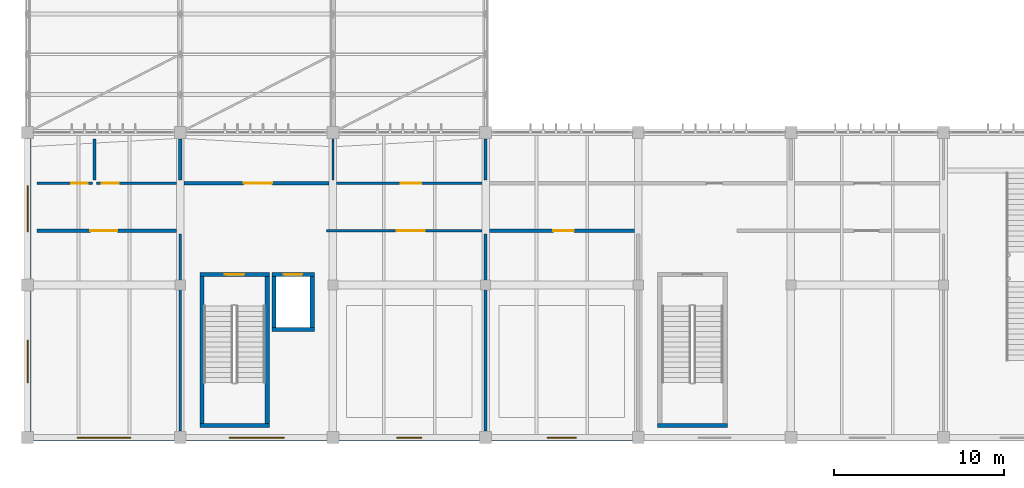
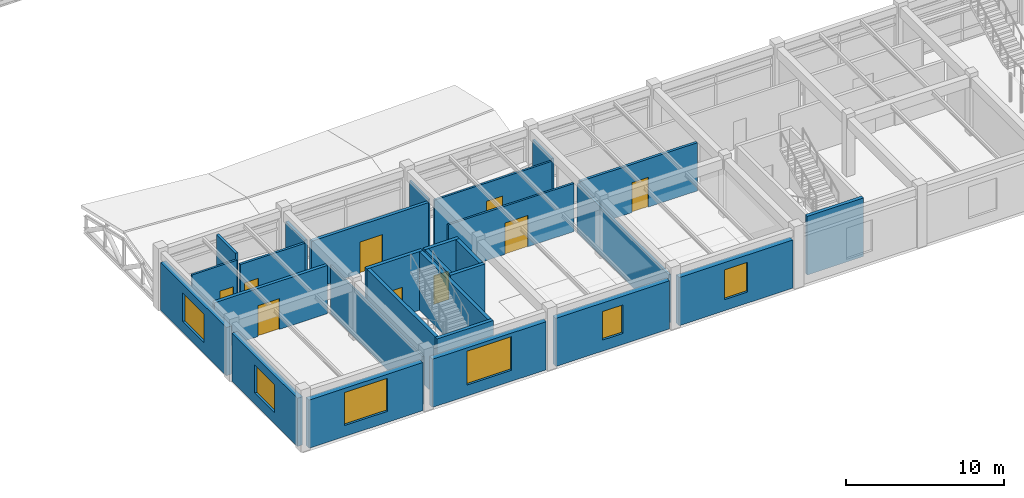
# One storey, part 45 of 61: 28 walls, 9 doors, 6 windows, 15 openings.
"""IFC4 building model written with IfcOpenShell, lengths in metres."""

import ifcopenshell
import ifcopenshell.guid

model = None  # the IFC model being written
_history = None  # IfcOwnerHistory: only IFC2X3 demands one
_inside = {}  # id of a spatial element -> (the spatial element, [elements in it])
_under = {}  # id of a project, library or spatial element -> (it, [spatial elements below it])
_declared = {}  # id of a project -> (the project, [libraries it declares])
_typed = {}  # id of a type object -> (the type object, [elements of that type])
_made_of = {}  # id of a material, layer set ... -> (it, [elements and type objects made of it])


def new_model(schema):
    """Start an empty IFC model of exactly this schema.

    Asked for "IFC4X3", IfcOpenShell would pick the latest addendum, in which some entities
    have other attributes; the version numbers below select the first issue.
    IFC2X3 requires an IfcOwnerHistory on every rooted entity: one is made here for all.
    """
    global model, _history
    if schema == "IFC4X3":
        model = ifcopenshell.file(schema_version=(4, 3, 0, 0))
    else:
        model = ifcopenshell.file(schema=schema)
    _inside.clear()
    _under.clear()
    _declared.clear()
    _typed.clear()
    _made_of.clear()
    _history = None
    if model.schema == "IFC2X3":
        org = make("IfcOrganization", Name="unknown")
        user = make(
            "IfcPersonAndOrganization",
            ThePerson=make("IfcPerson", FamilyName="unknown"),
            TheOrganization=org,
        )
        app = make(
            "IfcApplication",
            ApplicationDeveloper=org,
            Version="unknown",
            ApplicationFullName="unknown",
            ApplicationIdentifier="unknown",
        )
        _history = make(
            "IfcOwnerHistory",
            OwningUser=user,
            OwningApplication=app,
            ChangeAction="ADDED",
            CreationDate=0,
        )
    return model


def make(cls, **values):
    """One entity of the class cls with the attributes given. An attribute that is None is left unset."""
    return model.create_entity(
        cls, **{name: value for name, value in values.items() if value is not None}
    )


def rooted(cls, **values):
    """An entity with a GlobalId (a new one), such as an element, a storey or a relation."""
    return make(cls, GlobalId=ifcopenshell.guid.new(), OwnerHistory=_history, **values)


def si_unit(unit_type, name, prefix=None):
    """IfcSIUnit, for example si_unit("LENGTHUNIT", "METRE", prefix="MILLI")."""
    return make("IfcSIUnit", UnitType=unit_type, Prefix=prefix, Name=name)


def assignment(units):
    """IfcUnitAssignment: the units of a project."""
    return None if units is None else make("IfcUnitAssignment", Units=units)


def point(xyz):
    """IfcCartesianPoint."""
    return None if xyz is None else make("IfcCartesianPoint", Coordinates=xyz)


def direction(xyz):
    """IfcDirection."""
    return None if xyz is None else make("IfcDirection", DirectionRatios=xyz)


def frame(location, z_axis=None, x_axis=None):
    """IfcAxis2Placement3D, a coordinate frame: its origin and axes. An axis left out is left unset."""
    return make(
        "IfcAxis2Placement3D",
        Location=point(location),
        Axis=direction(z_axis),
        RefDirection=direction(x_axis),
    )


def frame_2d(location, x_axis=None):
    """IfcAxis2Placement2D, a coordinate frame in the plane: its origin and x axis."""
    return make(
        "IfcAxis2Placement2D", Location=point(location), RefDirection=direction(x_axis)
    )


def origin():
    """The frame at (0, 0, 0) with its axes left unset."""
    return frame((0.0, 0.0, 0.0))


def place(relative_to, where):
    """IfcLocalPlacement: puts the frame where relative to a parent placement (None: the world)."""
    return make(
        "IfcLocalPlacement", PlacementRelTo=relative_to, RelativePlacement=where
    )


def context(
    kind, dimensions, precision=None, world=None, true_north=None, identifier=None
):
    """IfcGeometricRepresentationContext, for example the 3D "Model" context."""
    return make(
        "IfcGeometricRepresentationContext",
        ContextIdentifier=identifier,
        ContextType=kind,
        CoordinateSpaceDimension=dimensions,
        Precision=precision,
        WorldCoordinateSystem=world,
        TrueNorth=true_north,
    )


def subcontext(parent, identifier, kind, view, scale=None):
    """IfcGeometricRepresentationSubContext, for example "Body" below "Model"."""
    return make(
        "IfcGeometricRepresentationSubContext",
        ContextIdentifier=identifier,
        ContextType=kind,
        ParentContext=parent,
        TargetScale=scale,
        TargetView=view,
    )


def project(units=None, contexts=None):
    """IfcProject with its units and contexts."""
    return rooted(
        "IfcProject",
        Name="project",
        RepresentationContexts=contexts,
        UnitsInContext=assignment(units),
    )


def spatial(cls, under=None, at=None, **own):
    """A site, building, storey or space (cls), placed at a placement, below another one or the project."""
    s = rooted(cls, ObjectPlacement=at, **own)
    if under is not None:
        _under.setdefault(under.id(), (under, []))[1].append(s)
    return s


def profile(cls, at=None, kind="AREA", **sizes):
    """A parametric profile (cls). Its sizes go by their IFC names, for example OverallWidth=200.0."""
    return make(cls, ProfileType=kind, Position=at, **sizes)


def rectangle(**sizes):
    """IfcRectangleProfileDef."""
    return profile("IfcRectangleProfileDef", **sizes)


def extrude(swept, where, along, depth):
    """IfcExtrudedAreaSolid: the profile swept, set in the frame where, extruded along a direction by depth."""
    return make(
        "IfcExtrudedAreaSolid",
        SweptArea=swept,
        Position=where,
        ExtrudedDirection=direction(along),
        Depth=depth,
    )


def shape(context_of_items, identifier, shape_type, items):
    """IfcShapeRepresentation: the items that make up one representation, for example the "Body"."""
    return make(
        "IfcShapeRepresentation",
        ContextOfItems=context_of_items,
        RepresentationIdentifier=identifier,
        RepresentationType=shape_type,
        Items=items,
    )


def material(Name=None, Category=None):
    """IfcMaterial."""
    return make("IfcMaterial", Name=Name, Category=Category)


def layer(
    of_material, thickness, ventilated=None, Name=None, Category=None, Priority=None
):
    """IfcMaterialLayer: one layer of a wall or slab, of a material (None: an air gap)."""
    return make(
        "IfcMaterialLayer",
        Material=of_material,
        LayerThickness=thickness,
        IsVentilated=ventilated,
        Name=Name,
        Category=Category,
        Priority=Priority,
    )


def layer_set(layers, Name=None):
    """IfcMaterialLayerSet."""
    return make("IfcMaterialLayerSet", MaterialLayers=layers, LayerSetName=Name)


def made_of(thing, what):
    """Note that an element or type object is made of a material, layer set ...; save() writes the relation."""
    if what is not None:
        _made_of.setdefault(what.id(), (what, []))[1].append(thing)
    return thing


def type_object(cls, material=None, **own):
    """A type object (cls), such as IfcWallType, which elements share."""
    return made_of(rooted(cls, **own), material)


def element(
    cls,
    number,
    at=None,
    inside=None,
    cuts=None,
    type_object=None,
    material=None,
    context=None,
    identifier="Body",
    shape_type=None,
    held_by="IfcProductDefinitionShape",
    body=None,
    shapes=None,
    **own,
):
    """One element of the class cls, such as IfcWall. Its Tag is "e" and its number.

    at: its placement. inside: the storey or other place that contains it. cuts: it is an
    opening in that element (IfcRelVoidsElement). A single representation is given by context,
    identifier, shape_type and body (its items); several are given by shapes. held_by: the class
    of the entity that holds the representations. save() writes the other relations.
    """
    e = rooted(cls, Tag="e%d" % number, ObjectPlacement=at, **own)
    if body is not None:
        shapes = [shape(context, identifier, shape_type, body)]
    if shapes is not None:
        e.Representation = make(held_by, Representations=shapes)
    if inside is not None:
        _inside.setdefault(inside.id(), (inside, []))[1].append(e)
    if cuts is not None:
        rooted(
            "IfcRelVoidsElement", RelatingBuildingElement=cuts, RelatedOpeningElement=e
        )
    if type_object is not None:
        _typed.setdefault(type_object.id(), (type_object, []))[1].append(e)
    return made_of(e, material)


def fill(opening, filler):
    """IfcRelFillsElement: the door or window that sits in an opening."""
    return rooted(
        "IfcRelFillsElement",
        RelatingOpeningElement=opening,
        RelatedBuildingElement=filler,
    )


def aggregate(whole, parts):
    """IfcRelAggregates: a whole, such as a stair, and the parts it consists of."""
    return rooted("IfcRelAggregates", RelatingObject=whole, RelatedObjects=parts)


def save(model, path):
    """Write the relations noted so far, then the file.

    IfcRelAggregates (storeys below a building ...), IfcRelContainedInSpatialStructure (elements
    in a storey), IfcRelDefinesByType, IfcRelAssociatesMaterial and IfcRelDeclares: one each for
    every whole, place, type object, material and project.
    """
    for whole, parts in _under.values():
        aggregate(whole, parts)
    for where, things in _inside.values():
        rooted(
            "IfcRelContainedInSpatialStructure",
            RelatedElements=things,
            RelatingStructure=where,
        )
    for kind, things in _typed.values():
        rooted("IfcRelDefinesByType", RelatedObjects=things, RelatingType=kind)
    for what, things in _made_of.values():
        rooted("IfcRelAssociatesMaterial", RelatedObjects=things, RelatingMaterial=what)
    for by, libraries in _declared.values():
        rooted("IfcRelDeclares", RelatingContext=by, RelatedDefinitions=libraries)
    model.write(path)


model = new_model("IFC4")

# Units and contexts
model_context = context("Model", 3, precision=1e-05, world=origin(), true_north=direction((0.0, 1.0)))
body_context = subcontext(model_context, "Body", "Model", "MODEL_VIEW")
ifc_project = project(units=[si_unit("LENGTHUNIT", "METRE"), si_unit("AREAUNIT", "SQUARE_METRE"), si_unit("VOLUMEUNIT", "CUBIC_METRE"), si_unit("PLANEANGLEUNIT", "RADIAN"), si_unit("MASSUNIT", "GRAM", prefix="KILO")], contexts=[model_context])

# Site, building, storey
site_placement = place(None, origin())
site = spatial("IfcSite", under=ifc_project, at=site_placement, CompositionType="ELEMENT")
building_placement = place(site_placement, origin())
building = spatial("IfcBuilding", under=site, at=building_placement, Name="Bozkorgan Art Gallery", CompositionType="ELEMENT")
storey_placement = place(building_placement, frame((0.0, 0.0, 10.199951171875)))
storey = spatial("IfcBuildingStorey", under=building, at=storey_placement, Name="L02", CompositionType="ELEMENT", Elevation=10.199951171875)

# Wall, opening, door
ifc_material_1 = material(Name="Concrete C40/50", Category="concrete")
ifc_layer_1 = layer(ifc_material_1, 0.25, Name="Concrete C40/50")
ifc_layer_set_1 = layer_set([ifc_layer_1], Name="Concrete C40/50")
wall_type_1 = type_object("IfcWallType", Name="IWALL-CW-51", PredefinedType="SHEAR", material=ifc_layer_set_1)
wall_1_placement = place(storey_placement, frame((12.14990234375, 11.625, 0.0), z_axis=(0.0, 0.0, 1.0), x_axis=(1.0, 0.0, 0.0)))
wall_1 = element("IfcWall", 1, at=wall_1_placement, inside=storey, type_object=wall_type_1, Name="CORE1 L02 stair core north shear wall", PredefinedType="SHEAR", context=body_context, shape_type="SweptSolid", body=[
    extrude(rectangle(XDim=4.10009765625, YDim=0.25, at=frame_2d((2.050048828125, 0.0))), origin(), (0.0, 0.0, 1.0), 4.52001953125),
])
opening_1_placement = place(wall_1_placement, frame((2.625, 0.0, 0.0), z_axis=(0.0, 0.0, 1.0), x_axis=(-1.0, 0.0, 0.0)))
opening_1 = element("IfcOpeningElement", 2, at=opening_1_placement, cuts=wall_1, Name="Opening SD-41", PredefinedType="OPENING", context=body_context, shape_type="SweptSolid", body=[
    extrude(rectangle(XDim=1.14990234375, YDim=2.199951171875, at=frame_2d((0.574951171875, 1.10009765625))), frame((0.0, 0.135009765625, 0.0), z_axis=(0.0, -1.0, 0.0), x_axis=(1.0, 0.0, 0.0)), (0.0, 0.0, 1.0), 0.27001953125),
])
ifc_material_2 = material(Name="Steel S355J2", Category="steel")
door_type_1 = type_object("IfcDoorType", Name="IDOOR-SD-41", OperationType="NOTDEFINED", PredefinedType="DOOR", material=ifc_material_2)
door_1_placement = place(opening_1_placement, origin())
door_1 = element("IfcDoor", 3, at=door_1_placement, inside=storey, type_object=door_type_1, Name="ST1 L02 Fire Stair Door", OperationType="SINGLE_SWING_LEFT", OverallHeight=2.199951171875, OverallWidth=1.14990234375, PredefinedType="DOOR", context=body_context, shape_type="SweptSolid", body=[
    extrude(rectangle(XDim=1.14990234375, YDim=2.199951171875, at=frame_2d((0.574951171875, 1.10009765625))), frame((0.0, 0.02490234375, 0.0), z_axis=(0.0, -1.0, 0.0), x_axis=(1.0, 0.0, 0.0)), (0.0, 0.0, 1.0), 0.050048828125),
])
fill(opening_1, door_1)

# Walls
wall_2_placement = place(storey_placement, frame((12.14990234375, 2.72509765625, 0.0), z_axis=(0.0, 0.0, 1.0), x_axis=(1.0, 0.0, 0.0)))
element("IfcWall", 4, at=wall_2_placement, inside=storey, type_object=wall_type_1, Name="CORE1 L02 stair core S shear wall", PredefinedType="SHEAR", context=body_context, shape_type="SweptSolid", body=[
    extrude(rectangle(XDim=4.10009765625, YDim=0.25, at=frame_2d((2.050048828125, 0.0))), origin(), (0.0, 0.0, 1.0), 4.52001953125),
])
for number, where, z_axis, x_axis, name in (
    (5, (12.27490234375, 2.85009765625, 0.0), (0.0, 0.0, 1.0), (0.0, 1.0, 0.0), "CORE1 L02 stair core W shear wall"),
    (6, (16.125, 2.85009765625, 0.0), (0.0, 0.0, 1.0), (0.0, 1.0, 0.0), "CORE1 L02 stair core E shear wall"),
):
    element("IfcWall", number, at=place(storey_placement, frame(where, z_axis=z_axis, x_axis=x_axis)), inside=storey, type_object=wall_type_1, Name=name, PredefinedType="SHEAR", context=body_context, shape_type="SweptSolid", body=[
        extrude(rectangle(XDim=8.64990234375, YDim=0.25, at=frame_2d((4.324951171875, 0.0))), origin(), (0.0, 0.0, 1.0), 4.52001953125),
    ])

# Wall, opening, door
wall_3_placement = place(storey_placement, frame((16.39990234375, 11.625, 0.0), z_axis=(0.0, 0.0, 1.0), x_axis=(1.0, 0.0, 0.0)))
wall_3 = element("IfcWall", 7, at=wall_3_placement, inside=storey, type_object=wall_type_1, Name="PL1 L02 shaft front shear wall", PredefinedType="SHEAR", context=body_context, shape_type="SweptSolid", body=[
    extrude(rectangle(XDim=2.5, YDim=0.25, at=frame_2d((1.25, 0.0))), origin(), (0.0, 0.0, 1.0), 4.52001953125),
])
opening_2_placement = place(wall_3_placement, frame((0.699951171875, 0.0, 0.0)))
opening_2 = element("IfcOpeningElement", 8, at=opening_2_placement, cuts=wall_3, Name="Opening LD-25", PredefinedType="OPENING", context=body_context, shape_type="SweptSolid", body=[
    extrude(rectangle(XDim=1.10009765625, YDim=2.199951171875, at=frame_2d((0.550048828125, 1.10009765625))), frame((0.0, 0.135009765625, 0.0), z_axis=(0.0, -1.0, 0.0), x_axis=(1.0, 0.0, 0.0)), (0.0, 0.0, 1.0), 0.27001953125),
])
door_type_2 = type_object("IfcDoorType", Name="IDOOR-LD-25", OperationType="NOTDEFINED", PredefinedType="DOOR", material=ifc_material_2)
door_2_placement = place(opening_2_placement, origin())
door_2 = element("IfcDoor", 9, at=door_2_placement, inside=storey, type_object=door_type_2, Name="LD-PL1-L02 Lift Landing Door", OperationType="SLIDING_TO_LEFT", OverallHeight=2.199951171875, OverallWidth=1.10009765625, PredefinedType="DOOR", context=body_context, shape_type="SweptSolid", body=[
    extrude(rectangle(XDim=1.10009765625, YDim=2.199951171875, at=frame_2d((0.550048828125, 1.10009765625))), frame((0.0, 0.02490234375, 0.0), z_axis=(0.0, -1.0, 0.0), x_axis=(1.0, 0.0, 0.0)), (0.0, 0.0, 1.0), 0.050048828125),
])
fill(opening_2, door_2)

# Walls
wall_4_placement = place(storey_placement, frame((16.39990234375, 8.375, 0.0), z_axis=(0.0, 0.0, 1.0), x_axis=(1.0, 0.0, 0.0)))
element("IfcWall", 10, at=wall_4_placement, inside=storey, type_object=wall_type_1, Name="PL1 L02 shaft S shear wall", PredefinedType="SHEAR", context=body_context, shape_type="SweptSolid", body=[
    extrude(rectangle(XDim=2.5, YDim=0.25, at=frame_2d((1.25, 0.0))), origin(), (0.0, 0.0, 1.0), 4.52001953125),
])
for number, where, z_axis, x_axis, name in (
    (11, (18.77490234375, 8.5, 0.0), (0.0, 0.0, 1.0), (0.0, 1.0, 0.0), "PL1 L02 shaft E shear wall"),
    (12, (16.52490234375, 8.5, 0.0), (0.0, 0.0, 1.0), (0.0, 1.0, 0.0), "PL1 L02 shaft W shear wall"),
):
    element("IfcWall", number, at=place(storey_placement, frame(where, z_axis=z_axis, x_axis=x_axis)), inside=storey, type_object=wall_type_1, Name=name, PredefinedType="SHEAR", context=body_context, shape_type="SweptSolid", body=[
        extrude(rectangle(XDim=3.0, YDim=0.25, at=frame_2d((1.5, 0.0))), origin(), (0.0, 0.0, 1.0), 4.52001953125),
    ])
wall_5_placement = place(storey_placement, frame((39.14990234375, 2.72509765625, 0.0), z_axis=(0.0, 0.0, 1.0), x_axis=(1.0, 0.0, 0.0)))
element("IfcWall", 13, at=wall_5_placement, inside=storey, type_object=wall_type_1, Name="CORE7 L02 stair core S shear wall", PredefinedType="SHEAR", context=body_context, shape_type="SweptSolid", body=[
    extrude(rectangle(XDim=4.10009765625, YDim=0.25, at=frame_2d((2.050048828125, 0.0))), origin(), (0.0, 0.0, 1.0), 4.52001953125),
])

# Wall, opening, door
ifc_material_3 = material(Name="Acoustic Gypsum & Mineral Wool Partition")
ifc_layer_2 = layer(ifc_material_3, 0.22998046875, Name="Acoustic Gypsum & Mineral Wool Partition")
ifc_layer_set_2 = layer_set([ifc_layer_2], Name="Acoustic Gypsum & Mineral Wool Partition")
wall_type_2 = type_object("IfcWallType", Name="IWALL-PR-08", PredefinedType="PARTITIONING", material=ifc_layer_set_2)
wall_6_placement = place(storey_placement, frame((2.5400390625, 14.199951171875, 0.0), z_axis=(0.0, 0.0, 1.0), x_axis=(1.0, 0.0, 0.0)))
wall_6 = element("IfcWall", 14, at=wall_6_placement, inside=storey, type_object=wall_type_2, Name="V1 L02 acoustic partition wall 53", PredefinedType="PARTITIONING", context=body_context, shape_type="SweptSolid", body=[
    extrude(rectangle(XDim=8.239990234375, YDim=0.22998046875, at=frame_2d((4.1201171875, 0.0))), origin(), (0.0, 0.0, 1.0), 3.715087890625),
])
opening_3_placement = place(wall_6_placement, frame((3.165283203125, 0.0, 0.0)))
opening_3 = element("IfcOpeningElement", 15, at=opening_3_placement, cuts=wall_6, Name="Opening GD-25", PredefinedType="OPENING", context=body_context, shape_type="SweptSolid", body=[
    extrude(rectangle(XDim=1.580078125, YDim=2.3798828125, at=frame_2d((0.7900390625, 1.18994140625))), frame((0.0, 0.125, 0.0), z_axis=(0.0, -1.0, 0.0), x_axis=(1.0, 0.0, 0.0)), (0.0, 0.0, 1.0), 0.25),
])
ifc_material_4 = material(Name="Oiled European Oak Joinery")
door_type_3 = type_object("IfcDoorType", Name="IDOOR-GD-25", OperationType="NOTDEFINED", PredefinedType="DOOR", material=ifc_material_4)
door_3_placement = place(opening_3_placement, origin())
door_3 = element("IfcDoor", 16, at=door_3_placement, inside=storey, type_object=door_type_3, Name="Temporary Exhibition Hall Door", OperationType="DOUBLE_DOOR_SINGLE_SWING", OverallHeight=2.3798828125, OverallWidth=1.580078125, PredefinedType="DOOR", context=body_context, shape_type="SweptSolid", body=[
    extrude(rectangle(XDim=1.580078125, YDim=2.3798828125, at=frame_2d((0.7900390625, 1.18994140625))), frame((0.0, 0.02490234375, 0.0), z_axis=(0.0, -1.0, 0.0), x_axis=(1.0, 0.0, 0.0)), (0.0, 0.0, 1.0), 0.050048828125),
])
fill(opening_3, door_3)

wall_7_placement = place(storey_placement, frame((11.219970703125, 17.0, 0.0), z_axis=(0.0, 0.0, 1.0), x_axis=(1.0, 0.0, 0.0)))
wall_7 = element("IfcWall", 17, at=wall_7_placement, inside=storey, type_object=wall_type_2, Name="V1 L02 acoustic partition wall 65", PredefinedType="PARTITIONING", context=body_context, shape_type="SweptSolid", body=[
    extrude(rectangle(XDim=8.56005859375, YDim=0.22998046875, at=frame_2d((4.280029296875, 0.0))), origin(), (0.0, 0.0, 1.0), 3.715087890625),
])
opening_4_placement = place(wall_7_placement, frame((5.18994140625, 0.0, 0.0), z_axis=(0.0, 0.0, 1.0), x_axis=(-1.0, 0.0, 0.0)))
opening_4 = element("IfcOpeningElement", 18, at=opening_4_placement, cuts=wall_7, Name="Opening GD-38", PredefinedType="OPENING", context=body_context, shape_type="SweptSolid", body=[
    extrude(rectangle(XDim=1.659912109375, YDim=2.419921875, at=frame_2d((0.830078125, 1.2099609375))), frame((0.0, 0.125, 0.0), z_axis=(0.0, -1.0, 0.0), x_axis=(1.0, 0.0, 0.0)), (0.0, 0.0, 1.0), 0.25),
])
door_type_4 = type_object("IfcDoorType", Name="IDOOR-GD-38", OperationType="NOTDEFINED", PredefinedType="DOOR", material=ifc_material_4)
door_4_placement = place(opening_4_placement, origin())
door_4 = element("IfcDoor", 19, at=door_4_placement, inside=storey, type_object=door_type_4, Name="Curatorial Study Gallery Door", OperationType="DOUBLE_DOOR_SINGLE_SWING", OverallHeight=2.419921875, OverallWidth=1.659912109375, PredefinedType="DOOR", context=body_context, shape_type="SweptSolid", body=[
    extrude(rectangle(XDim=1.659912109375, YDim=2.419921875, at=frame_2d((0.830078125, 1.2099609375))), frame((0.0, 0.02490234375, 0.0), z_axis=(0.0, -1.0, 0.0), x_axis=(1.0, 0.0, 0.0)), (0.0, 0.0, 1.0), 0.050048828125),
])
fill(opening_4, door_4)

ifc_layer_3 = layer(ifc_material_3, 0.169921875, Name="Acoustic Gypsum & Mineral Wool Partition")
ifc_layer_set_3 = layer_set([ifc_layer_3], Name="Acoustic Gypsum & Mineral Wool Partition")
wall_type_3 = type_object("IfcWallType", Name="IWALL-PR-40", PredefinedType="PARTITIONING", material=ifc_layer_set_3)
wall_8_placement = place(storey_placement, frame((6.06005859375, 17.0, 0.0), z_axis=(0.0, 0.0, 1.0), x_axis=(1.0, 0.0, 0.0)))
wall_8 = element("IfcWall", 20, at=wall_8_placement, inside=storey, type_object=wall_type_3, Name="V1 L02 acoustic partition wall 62", PredefinedType="PARTITIONING", context=body_context, shape_type="SweptSolid", body=[
    extrude(rectangle(XDim=4.719970703125, YDim=0.169921875, at=frame_2d((2.35986328125, 0.0))), origin(), (0.0, 0.0, 1.0), 3.715087890625),
])
opening_5_placement = place(wall_8_placement, frame((1.300048828125, 0.0, 0.0), z_axis=(0.0, 0.0, 1.0), x_axis=(-1.0, 0.0, 0.0)))
opening_5 = element("IfcOpeningElement", 21, at=opening_5_placement, cuts=wall_8, Name="Opening FD-60", PredefinedType="OPENING", context=body_context, shape_type="SweptSolid", body=[
    extrude(rectangle(XDim=1.0, YDim=2.199951171875, at=frame_2d((0.5, 1.10009765625))), frame((0.0, 0.094970703125, 0.0), z_axis=(0.0, -1.0, 0.0), x_axis=(1.0, 0.0, 0.0)), (0.0, 0.0, 1.0), 0.18994140625),
])
door_type_5 = type_object("IfcDoorType", Name="IDOOR-FD-60", OperationType="NOTDEFINED", PredefinedType="DOOR", material=ifc_material_4)
door_5_placement = place(opening_5_placement, origin())
door_5 = element("IfcDoor", 22, at=door_5_placement, inside=storey, type_object=door_type_5, Name="Exhibition Lighting Store Door", OperationType="SINGLE_SWING_RIGHT", OverallHeight=2.199951171875, OverallWidth=1.0, PredefinedType="DOOR", context=body_context, shape_type="SweptSolid", body=[
    extrude(rectangle(XDim=1.0, YDim=2.199951171875, at=frame_2d((0.5, 1.10009765625))), frame((0.0, 0.02490234375, 0.0), z_axis=(0.0, -1.0, 0.0), x_axis=(1.0, 0.0, 0.0)), (0.0, 0.0, 1.0), 0.050048828125),
])
fill(opening_5, door_5)

ifc_layer_4 = layer(ifc_material_3, 0.14990234375, Name="Acoustic Gypsum & Mineral Wool Partition")
ifc_layer_set_4 = layer_set([ifc_layer_4], Name="Acoustic Gypsum & Mineral Wool Partition")
wall_type_4 = type_object("IfcWallType", Name="IWALL-PR-55", PredefinedType="PARTITIONING", material=ifc_layer_set_4)
wall_9_placement = place(storey_placement, frame((19.6201171875, 14.199951171875, 0.0), z_axis=(0.0, 0.0, 1.0), x_axis=(1.0, 0.0, 0.0)))
wall_9 = element("IfcWall", 23, at=wall_9_placement, inside=storey, type_object=wall_type_4, Name="V1 L02 acoustic partition wall 55", PredefinedType="PARTITIONING", context=body_context, shape_type="SweptSolid", body=[
    extrude(rectangle(XDim=9.159912109375, YDim=0.14990234375, at=frame_2d((4.580078125, 0.0))), origin(), (0.0, 0.0, 1.0), 3.715087890625),
])
opening_6_placement = place(wall_9_placement, frame((4.132568359375, 0.0, 0.0)))
opening_6 = element("IfcOpeningElement", 24, at=opening_6_placement, cuts=wall_9, Name="Opening GD-38", PredefinedType="OPENING", context=body_context, shape_type="SweptSolid", body=[
    extrude(rectangle(XDim=1.659912109375, YDim=2.419921875, at=frame_2d((0.830078125, 1.2099609375))), frame((0.0, 0.0849609375, 0.0), z_axis=(0.0, -1.0, 0.0), x_axis=(1.0, 0.0, 0.0)), (0.0, 0.0, 1.0), 0.169921875),
])
door_6_placement = place(opening_6_placement, origin())
door_6 = element("IfcDoor", 25, at=door_6_placement, inside=storey, type_object=door_type_4, Name="Twentieth Century Painting Gallery Door", OperationType="DOUBLE_DOOR_SINGLE_SWING", OverallHeight=2.419921875, OverallWidth=1.659912109375, PredefinedType="DOOR", context=body_context, shape_type="SweptSolid", body=[
    extrude(rectangle(XDim=1.659912109375, YDim=2.419921875, at=frame_2d((0.830078125, 1.2099609375))), frame((0.0, 0.02490234375, 0.0), z_axis=(0.0, -1.0, 0.0), x_axis=(1.0, 0.0, 0.0)), (0.0, 0.0, 1.0), 0.050048828125),
])
fill(opening_6, door_6)

wall_10_placement = place(storey_placement, frame((2.5400390625, 17.0, 0.0), z_axis=(0.0, 0.0, 1.0), x_axis=(1.0, 0.0, 0.0)))
wall_10 = element("IfcWall", 26, at=wall_10_placement, inside=storey, type_object=wall_type_4, Name="V1 L02 acoustic partition wall 61", PredefinedType="PARTITIONING", context=body_context, shape_type="SweptSolid", body=[
    extrude(rectangle(XDim=3.280029296875, YDim=0.14990234375, at=frame_2d((1.64013671875, 0.0))), origin(), (0.0, 0.0, 1.0), 4.135009765625),
])
opening_7_placement = place(wall_10_placement, frame((3.010009765625, 0.0, 0.0), z_axis=(0.0, 0.0, 1.0), x_axis=(-1.0, 0.0, 0.0)))
opening_7 = element("IfcOpeningElement", 27, at=opening_7_placement, cuts=wall_10, Name="Opening FD-75", PredefinedType="OPENING", context=body_context, shape_type="SweptSolid", body=[
    extrude(rectangle(XDim=0.97998046875, YDim=2.179931640625, at=frame_2d((0.489990234375, 1.08984375))), frame((0.0, 0.0849609375, 0.0), z_axis=(0.0, -1.0, 0.0), x_axis=(1.0, 0.0, 0.0)), (0.0, 0.0, 1.0), 0.169921875),
])
door_type_6 = type_object("IfcDoorType", Name="IDOOR-FD-75", OperationType="NOTDEFINED", PredefinedType="DOOR", material=ifc_material_4)
door_7_placement = place(opening_7_placement, origin())
door_7 = element("IfcDoor", 28, at=door_7_placement, inside=storey, type_object=door_type_6, Name="Accessible WC Door", OperationType="SINGLE_SWING_LEFT", OverallHeight=2.179931640625, OverallWidth=0.97998046875, PredefinedType="DOOR", context=body_context, shape_type="SweptSolid", body=[
    extrude(rectangle(XDim=0.97998046875, YDim=2.179931640625, at=frame_2d((0.489990234375, 1.08984375))), frame((0.0, 0.02490234375, 0.0), z_axis=(0.0, -1.0, 0.0), x_axis=(1.0, 0.0, 0.0)), (0.0, 0.0, 1.0), 0.050048828125),
])
fill(opening_7, door_7)

wall_11_placement = place(storey_placement, frame((20.219970703125, 17.0, 0.0), z_axis=(0.0, 0.0, 1.0), x_axis=(1.0, 0.0, 0.0)))
wall_11 = element("IfcWall", 29, at=wall_11_placement, inside=storey, type_object=wall_type_4, Name="V1 L02 acoustic partition wall 67", PredefinedType="PARTITIONING", context=body_context, shape_type="SweptSolid", body=[
    extrude(rectangle(XDim=8.56005859375, YDim=0.14990234375, at=frame_2d((4.280029296875, 0.0))), origin(), (0.0, 0.0, 1.0), 3.715087890625),
])
opening_8_placement = place(wall_11_placement, frame((4.97998046875, 0.0, 0.0), z_axis=(0.0, 0.0, 1.0), x_axis=(-1.0, 0.0, 0.0)))
opening_8 = element("IfcOpeningElement", 30, at=opening_8_placement, cuts=wall_11, Name="Opening FD-05", PredefinedType="OPENING", context=body_context, shape_type="SweptSolid", body=[
    extrude(rectangle(XDim=1.199951171875, YDim=2.300048828125, at=frame_2d((0.60009765625, 1.14990234375))), frame((0.0, 0.0849609375, 0.0), z_axis=(0.0, -1.0, 0.0), x_axis=(1.0, 0.0, 0.0)), (0.0, 0.0, 1.0), 0.169921875),
])
door_type_7 = type_object("IfcDoorType", Name="IDOOR-FD-05", OperationType="NOTDEFINED", PredefinedType="DOOR", material=ifc_material_4)
door_8_placement = place(opening_8_placement, origin())
door_8 = element("IfcDoor", 31, at=door_8_placement, inside=storey, type_object=door_type_7, Name="Exhibition Catalogue Salon Door", OperationType="SINGLE_SWING_RIGHT", OverallHeight=2.300048828125, OverallWidth=1.199951171875, PredefinedType="DOOR", context=body_context, shape_type="SweptSolid", body=[
    extrude(rectangle(XDim=1.199951171875, YDim=2.300048828125, at=frame_2d((0.60009765625, 1.14990234375))), frame((0.0, 0.02490234375, 0.0), z_axis=(0.0, -1.0, 0.0), x_axis=(1.0, 0.0, 0.0)), (0.0, 0.0, 1.0), 0.050048828125),
])
fill(opening_8, door_8)

ifc_layer_5 = layer(ifc_material_3, 0.18994140625, Name="Acoustic Gypsum & Mineral Wool Partition")
ifc_layer_set_5 = layer_set([ifc_layer_5], Name="Acoustic Gypsum & Mineral Wool Partition")
wall_type_5 = type_object("IfcWallType", Name="IWALL-PR-66", PredefinedType="PARTITIONING", material=ifc_layer_set_5)
wall_12_placement = place(storey_placement, frame((29.219970703125, 14.199951171875, 0.0), z_axis=(0.0, 0.0, 1.0), x_axis=(1.0, 0.0, 0.0)))
wall_12 = element("IfcWall", 32, at=wall_12_placement, inside=storey, type_object=wall_type_5, Name="V1 L02 acoustic partition wall 57", PredefinedType="PARTITIONING", context=body_context, shape_type="SweptSolid", body=[
    extrude(rectangle(XDim=8.56005859375, YDim=0.18994140625, at=frame_2d((4.280029296875, 0.0))), origin(), (0.0, 0.0, 1.0), 3.715087890625),
])
opening_9_placement = place(wall_12_placement, frame((3.780029296875, 0.0, 0.0)))
opening_9 = element("IfcOpeningElement", 33, at=opening_9_placement, cuts=wall_12, Name="Opening FD-05", PredefinedType="OPENING", context=body_context, shape_type="SweptSolid", body=[
    extrude(rectangle(XDim=1.199951171875, YDim=2.300048828125, at=frame_2d((0.60009765625, 1.14990234375))), frame((0.0, 0.10498046875, 0.0), z_axis=(0.0, -1.0, 0.0), x_axis=(1.0, 0.0, 0.0)), (0.0, 0.0, 1.0), 0.2099609375),
])
door_9_placement = place(opening_9_placement, origin())
door_9 = element("IfcDoor", 34, at=door_9_placement, inside=storey, type_object=door_type_7, Name="Avant Garde Salon Door", OperationType="SINGLE_SWING_LEFT", OverallHeight=2.300048828125, OverallWidth=1.199951171875, PredefinedType="DOOR", context=body_context, shape_type="SweptSolid", body=[
    extrude(rectangle(XDim=1.199951171875, YDim=2.300048828125, at=frame_2d((0.60009765625, 1.14990234375))), frame((0.0, 0.02490234375, 0.0), z_axis=(0.0, -1.0, 0.0), x_axis=(1.0, 0.0, 0.0)), (0.0, 0.0, 1.0), 0.050048828125),
])
fill(opening_9, door_9)

# Walls
ifc_layer_6 = layer(ifc_material_3, 0.169921875, Name="Acoustic Gypsum & Mineral Wool Partition")
ifc_layer_set_6 = layer_set([ifc_layer_6], Name="Acoustic Gypsum & Mineral Wool Partition")
wall_type_6 = type_object("IfcWallType", Name="IWALL-PW-02", PredefinedType="PARTITIONING", material=ifc_layer_set_6)
wall_13_placement = place(storey_placement, frame((29.0, 2.39990234375, 0.0), z_axis=(0.0, 0.0, 1.0), x_axis=(0.0, 1.0, 0.0)))
element("IfcWall", 35, at=wall_13_placement, inside=storey, type_object=wall_type_6, Name="V1 L02 acoustic partition wall 56", PredefinedType="PARTITIONING", context=body_context, shape_type="SweptSolid", body=[
    extrude(rectangle(XDim=11.60009765625, YDim=0.169921875, at=frame_2d((5.800048828125, 0.0))), origin(), (0.0, 0.0, 1.0), 3.715087890625),
])
wall_14_placement = place(storey_placement, frame((29.0, 17.199951171875, 0.0), z_axis=(0.0, 0.0, 1.0), x_axis=(0.0, 1.0, 0.0)))
element("IfcWall", 36, at=wall_14_placement, inside=storey, type_object=wall_type_6, Name="V1 L02 acoustic partition wall 68", PredefinedType="PARTITIONING", context=body_context, shape_type="SweptSolid", body=[
    extrude(rectangle(XDim=2.400146484375, YDim=0.169921875, at=frame_2d((1.2001953125, 0.0))), origin(), (0.0, 0.0, 1.0), 3.715087890625),
])
ifc_layer_7 = layer(ifc_material_3, 0.18994140625, Name="Acoustic Gypsum & Mineral Wool Partition")
ifc_layer_set_7 = layer_set([ifc_layer_7], Name="Acoustic Gypsum & Mineral Wool Partition")
wall_type_7 = type_object("IfcWallType", Name="IWALL-PW-23", PredefinedType="PARTITIONING", material=ifc_layer_set_7)
wall_15_placement = place(storey_placement, frame((5.93994140625, 17.199951171875, 0.0), z_axis=(0.0, 0.0, 1.0), x_axis=(0.0, 1.0, 0.0)))
element("IfcWall", 37, at=wall_15_placement, inside=storey, type_object=wall_type_7, Name="V1 L02 acoustic partition wall 63", PredefinedType="PARTITIONING", context=body_context, shape_type="SweptSolid", body=[
    extrude(rectangle(XDim=2.400146484375, YDim=0.18994140625, at=frame_2d((1.2001953125, 0.0))), origin(), (0.0, 0.0, 1.0), 4.47998046875),
])
ifc_layer_8 = layer(ifc_material_3, 0.2099609375, Name="Acoustic Gypsum & Mineral Wool Partition")
ifc_layer_set_8 = layer_set([ifc_layer_8], Name="Acoustic Gypsum & Mineral Wool Partition")
wall_type_8 = type_object("IfcWallType", Name="IWALL-PW-72", PredefinedType="PARTITIONING", material=ifc_layer_set_8)
wall_16_placement = place(storey_placement, frame((11.0, 17.199951171875, 0.0), z_axis=(0.0, 0.0, 1.0), x_axis=(0.0, 1.0, 0.0)))
element("IfcWall", 38, at=wall_16_placement, inside=storey, type_object=wall_type_8, Name="V1 L02 acoustic partition wall 64", PredefinedType="PARTITIONING", context=body_context, shape_type="SweptSolid", body=[
    extrude(rectangle(XDim=2.400146484375, YDim=0.2099609375, at=frame_2d((1.2001953125, 0.0))), origin(), (0.0, 0.0, 1.0), 3.715087890625),
])
ifc_layer_9 = layer(ifc_material_3, 0.1298828125, Name="Acoustic Gypsum & Mineral Wool Partition")
ifc_layer_set_9 = layer_set([ifc_layer_9], Name="Acoustic Gypsum & Mineral Wool Partition")
wall_type_9 = type_object("IfcWallType", Name="IWALL-PW-97", PredefinedType="PARTITIONING", material=ifc_layer_set_9)
wall_17_placement = place(storey_placement, frame((11.0, 2.39990234375, 0.0), z_axis=(0.0, 0.0, 1.0), x_axis=(0.0, 1.0, 0.0)))
element("IfcWall", 39, at=wall_17_placement, inside=storey, type_object=wall_type_9, Name="V1 L02 acoustic partition wall 54", PredefinedType="PARTITIONING", context=body_context, shape_type="SweptSolid", body=[
    extrude(rectangle(XDim=11.60009765625, YDim=0.1298828125, at=frame_2d((5.800048828125, 0.0))), origin(), (0.0, 0.0, 1.0), 3.715087890625),
])
wall_18_placement = place(storey_placement, frame((20.0, 17.199951171875, 0.0), z_axis=(0.0, 0.0, 1.0), x_axis=(0.0, 1.0, 0.0)))
element("IfcWall", 40, at=wall_18_placement, inside=storey, type_object=wall_type_9, Name="V1 L02 acoustic partition wall 66", PredefinedType="PARTITIONING", context=body_context, shape_type="SweptSolid", body=[
    extrude(rectangle(XDim=2.400146484375, YDim=0.1298828125, at=frame_2d((1.2001953125, 0.0))), origin(), (0.0, 0.0, 1.0), 3.715087890625),
])

# Wall, opening, window
ifc_material_5 = material(Name="Pressed Terracotta Brick Masonry", Category="masonry")
ifc_layer_10 = layer(ifc_material_5, 0.3798828125, Name="Pressed Terracotta Brick Masonry")
ifc_layer_set_10 = layer_set([ifc_layer_10], Name="Pressed Terracotta Brick Masonry")
wall_type_10 = type_object("IfcWallType", Name="WALL-WB-15", PredefinedType="STANDARD", material=ifc_layer_set_10)
wall_19_placement = place(storey_placement, frame((2.35009765625, 2.0, 0.0), z_axis=(0.0, 0.0, 1.0), x_axis=(1.0, 0.0, 0.0)))
wall_19 = element("IfcWall", 41, at=wall_19_placement, inside=storey, type_object=wall_type_10, Name="V1 L02 exterior facade wall 1S-1", PredefinedType="STANDARD", context=body_context, shape_type="SweptSolid", body=[
    extrude(rectangle(XDim=8.2998046875, YDim=0.3798828125, at=frame_2d((4.14990234375, 0.0))), origin(), (0.0, 0.0, 1.0), 3.715087890625),
])
opening_10_placement = place(wall_19_placement, frame((5.724853515625, 0.0, 0.85009765625), z_axis=(0.0, 0.0, 1.0), x_axis=(-1.0, 0.0, 0.0)))
opening_10 = element("IfcOpeningElement", 42, at=opening_10_placement, cuts=wall_19, Name="Opening WN-84", PredefinedType="OPENING", context=body_context, shape_type="SweptSolid", body=[
    extrude(rectangle(XDim=3.14990234375, YDim=2.550048828125, at=frame_2d((1.574951171875, 1.27490234375))), frame((0.0, 0.199951171875, 0.0), z_axis=(0.0, -1.0, 0.0), x_axis=(1.0, 0.0, 0.0)), (0.0, 0.0, 1.0), 0.39990234375),
])
ifc_material_6 = material(Name="Triple Low-E Laminated Glass", Category="glass")
window_type_1 = type_object("IfcWindowType", Name="WIN-WN-84", PartitioningType="SINGLE_PANEL", PredefinedType="WINDOW", material=ifc_material_6)
window_1_placement = place(opening_10_placement, origin())
window_1 = element("IfcWindow", 43, at=window_1_placement, inside=storey, type_object=window_type_1, Name="V1 L02 gallery window 1S-1", OverallHeight=2.550048828125, OverallWidth=3.14990234375, PartitioningType="SINGLE_PANEL", PredefinedType="WINDOW", context=body_context, shape_type="SweptSolid", body=[
    extrude(rectangle(XDim=3.14990234375, YDim=2.550048828125, at=frame_2d((1.574951171875, 1.27490234375))), frame((0.0, 0.030029296875, 0.0), z_axis=(0.0, -1.0, 0.0), x_axis=(1.0, 0.0, 0.0)), (0.0, 0.0, 1.0), 0.06005859375),
])
fill(opening_10, window_1)

wall_20_placement = place(storey_placement, frame((11.35009765625, 2.0, 0.0), z_axis=(0.0, 0.0, 1.0), x_axis=(1.0, 0.0, 0.0)))
wall_20 = element("IfcWall", 44, at=wall_20_placement, inside=storey, type_object=wall_type_10, Name="V1 L02 exterior facade wall 1S-3", PredefinedType="STANDARD", context=body_context, shape_type="SweptSolid", body=[
    extrude(rectangle(XDim=8.2998046875, YDim=0.3798828125, at=frame_2d((4.14990234375, 0.0))), origin(), (0.0, 0.0, 1.0), 3.715087890625),
])
opening_11_placement = place(wall_20_placement, frame((5.77490234375, 0.0, 0.85009765625), z_axis=(0.0, 0.0, 1.0), x_axis=(-1.0, 0.0, 0.0)))
opening_11 = element("IfcOpeningElement", 45, at=opening_11_placement, cuts=wall_20, Name="Opening WN-38", PredefinedType="OPENING", context=body_context, shape_type="SweptSolid", body=[
    extrude(rectangle(XDim=3.25, YDim=2.60009765625, at=frame_2d((1.625, 1.300048828125))), frame((0.0, 0.199951171875, 0.0), z_axis=(0.0, -1.0, 0.0), x_axis=(1.0, 0.0, 0.0)), (0.0, 0.0, 1.0), 0.39990234375),
])
window_type_2 = type_object("IfcWindowType", Name="WIN-WN-38", PartitioningType="SINGLE_PANEL", PredefinedType="WINDOW", material=ifc_material_6)
window_2_placement = place(opening_11_placement, origin())
window_2 = element("IfcWindow", 46, at=window_2_placement, inside=storey, type_object=window_type_2, Name="V1 L02 gallery window 1S-3", OverallHeight=2.60009765625, OverallWidth=3.25, PartitioningType="SINGLE_PANEL", PredefinedType="WINDOW", context=body_context, shape_type="SweptSolid", body=[
    extrude(rectangle(XDim=3.25, YDim=2.60009765625, at=frame_2d((1.625, 1.300048828125))), frame((0.0, 0.030029296875, 0.0), z_axis=(0.0, -1.0, 0.0), x_axis=(1.0, 0.0, 0.0)), (0.0, 0.0, 1.0), 0.06005859375),
])
fill(opening_11, window_2)

wall_21_placement = place(storey_placement, frame((20.35009765625, 2.0, 0.0), z_axis=(0.0, 0.0, 1.0), x_axis=(1.0, 0.0, 0.0)))
wall_21 = element("IfcWall", 47, at=wall_21_placement, inside=storey, type_object=wall_type_10, Name="V1 L02 exterior facade wall 1S-5", PredefinedType="STANDARD", context=body_context, shape_type="SweptSolid", body=[
    extrude(rectangle(XDim=8.2998046875, YDim=0.3798828125, at=frame_2d((4.14990234375, 0.0))), origin(), (0.0, 0.0, 1.0), 3.715087890625),
])
opening_12_placement = place(wall_21_placement, frame((4.89990234375, 0.0, 0.85009765625), z_axis=(0.0, 0.0, 1.0), x_axis=(-1.0, 0.0, 0.0)))
opening_12 = element("IfcOpeningElement", 48, at=opening_12_placement, cuts=wall_21, Name="Opening WN-07", PredefinedType="OPENING", context=body_context, shape_type="SweptSolid", body=[
    extrude(rectangle(XDim=1.5, YDim=2.199951171875, at=frame_2d((0.75, 1.10009765625))), frame((0.0, 0.199951171875, 0.0), z_axis=(0.0, -1.0, 0.0), x_axis=(1.0, 0.0, 0.0)), (0.0, 0.0, 1.0), 0.39990234375),
])
window_type_3 = type_object("IfcWindowType", Name="WIN-WN-07", PartitioningType="SINGLE_PANEL", PredefinedType="WINDOW", material=ifc_material_6)
window_3_placement = place(opening_12_placement, origin())
window_3 = element("IfcWindow", 49, at=window_3_placement, inside=storey, type_object=window_type_3, Name="V1 L02 gallery window 1S-5", OverallHeight=2.199951171875, OverallWidth=1.5, PartitioningType="SINGLE_PANEL", PredefinedType="WINDOW", context=body_context, shape_type="SweptSolid", body=[
    extrude(rectangle(XDim=1.5, YDim=2.199951171875, at=frame_2d((0.75, 1.10009765625))), frame((0.0, 0.030029296875, 0.0), z_axis=(0.0, -1.0, 0.0), x_axis=(1.0, 0.0, 0.0)), (0.0, 0.0, 1.0), 0.06005859375),
])
fill(opening_12, window_3)

wall_22_placement = place(storey_placement, frame((29.35009765625, 2.0, 0.0), z_axis=(0.0, 0.0, 1.0), x_axis=(1.0, 0.0, 0.0)))
wall_22 = element("IfcWall", 50, at=wall_22_placement, inside=storey, type_object=wall_type_10, Name="V1 L02 exterior facade wall 1S-7", PredefinedType="STANDARD", context=body_context, shape_type="SweptSolid", body=[
    extrude(rectangle(XDim=8.2998046875, YDim=0.3798828125, at=frame_2d((4.14990234375, 0.0))), origin(), (0.0, 0.0, 1.0), 3.715087890625),
])
opening_13_placement = place(wall_22_placement, frame((5.0, 0.0, 0.85009765625), z_axis=(0.0, 0.0, 1.0), x_axis=(-1.0, 0.0, 0.0)))
opening_13 = element("IfcOpeningElement", 51, at=opening_13_placement, cuts=wall_22, Name="Opening WN-58", PredefinedType="OPENING", context=body_context, shape_type="SweptSolid", body=[
    extrude(rectangle(XDim=1.699951171875, YDim=2.300048828125, at=frame_2d((0.85009765625, 1.14990234375))), frame((0.0, 0.199951171875, 0.0), z_axis=(0.0, -1.0, 0.0), x_axis=(1.0, 0.0, 0.0)), (0.0, 0.0, 1.0), 0.39990234375),
])
window_type_4 = type_object("IfcWindowType", Name="WIN-WN-58", PartitioningType="SINGLE_PANEL", PredefinedType="WINDOW", material=ifc_material_6)
window_4_placement = place(opening_13_placement, origin())
window_4 = element("IfcWindow", 52, at=window_4_placement, inside=storey, type_object=window_type_4, Name="V1 L02 gallery window 1S-7", OverallHeight=2.300048828125, OverallWidth=1.699951171875, PartitioningType="SINGLE_PANEL", PredefinedType="WINDOW", context=body_context, shape_type="SweptSolid", body=[
    extrude(rectangle(XDim=1.699951171875, YDim=2.300048828125, at=frame_2d((0.85009765625, 1.14990234375))), frame((0.0, 0.030029296875, 0.0), z_axis=(0.0, -1.0, 0.0), x_axis=(1.0, 0.0, 0.0)), (0.0, 0.0, 1.0), 0.06005859375),
])
fill(opening_13, window_4)

wall_23_placement = place(storey_placement, frame((2.0, 2.35009765625, 0.0), z_axis=(0.0, 0.0, 1.0), x_axis=(0.0, 1.0, 0.0)))
wall_23 = element("IfcWall", 53, at=wall_23_placement, inside=storey, type_object=wall_type_10, Name="V1 L02 exterior facade wall 1W-15", PredefinedType="STANDARD", context=body_context, shape_type="SweptSolid", body=[
    extrude(rectangle(XDim=8.2998046875, YDim=0.3798828125, at=frame_2d((4.14990234375, 0.0))), origin(), (0.0, 0.0, 1.0), 3.715087890625),
])
opening_14_placement = place(wall_23_placement, frame((2.89990234375, 0.0, 0.85009765625)))
opening_14 = element("IfcOpeningElement", 54, at=opening_14_placement, cuts=wall_23, Name="Opening WN-55", PredefinedType="OPENING", context=body_context, shape_type="SweptSolid", body=[
    extrude(rectangle(XDim=2.5, YDim=2.14990234375, at=frame_2d((1.25, 1.074951171875))), frame((0.0, 0.199951171875, 0.0), z_axis=(0.0, -1.0, 0.0), x_axis=(1.0, 0.0, 0.0)), (0.0, 0.0, 1.0), 0.39990234375),
])
window_type_5 = type_object("IfcWindowType", Name="WIN-WN-55", PartitioningType="SINGLE_PANEL", PredefinedType="WINDOW", material=ifc_material_6)
window_5_placement = place(opening_14_placement, origin())
window_5 = element("IfcWindow", 55, at=window_5_placement, inside=storey, type_object=window_type_5, Name="V1 L02 gallery window 1W-15", OverallHeight=2.14990234375, OverallWidth=2.5, PartitioningType="SINGLE_PANEL", PredefinedType="WINDOW", context=body_context, shape_type="SweptSolid", body=[
    extrude(rectangle(XDim=2.5, YDim=2.14990234375, at=frame_2d((1.25, 1.074951171875))), frame((0.0, 0.030029296875, 0.0), z_axis=(0.0, -1.0, 0.0), x_axis=(1.0, 0.0, 0.0)), (0.0, 0.0, 1.0), 0.06005859375),
])
fill(opening_14, window_5)

wall_24_placement = place(storey_placement, frame((2.0, 11.35009765625, 0.0), z_axis=(0.0, 0.0, 1.0), x_axis=(0.0, 1.0, 0.0)))
wall_24 = element("IfcWall", 56, at=wall_24_placement, inside=storey, type_object=wall_type_10, Name="V1 L02 exterior facade wall 1W-17", PredefinedType="STANDARD", context=body_context, shape_type="SweptSolid", body=[
    extrude(rectangle(XDim=8.2998046875, YDim=0.3798828125, at=frame_2d((4.14990234375, 0.0))), origin(), (0.0, 0.0, 1.0), 3.715087890625),
])
opening_15_placement = place(wall_24_placement, frame((2.800048828125, 0.0, 0.85009765625)))
opening_15 = element("IfcOpeningElement", 57, at=opening_15_placement, cuts=wall_24, Name="Opening WN-57", PredefinedType="OPENING", context=body_context, shape_type="SweptSolid", body=[
    extrude(rectangle(XDim=2.699951171875, YDim=2.199951171875, at=frame_2d((1.35009765625, 1.10009765625))), frame((0.0, 0.199951171875, 0.0), z_axis=(0.0, -1.0, 0.0), x_axis=(1.0, 0.0, 0.0)), (0.0, 0.0, 1.0), 0.39990234375),
])
window_type_6 = type_object("IfcWindowType", Name="WIN-WN-57", PartitioningType="SINGLE_PANEL", PredefinedType="WINDOW", material=ifc_material_6)
window_6_placement = place(opening_15_placement, origin())
window_6 = element("IfcWindow", 58, at=window_6_placement, inside=storey, type_object=window_type_6, Name="V1 L02 gallery window 1W-17", OverallHeight=2.199951171875, OverallWidth=2.699951171875, PartitioningType="SINGLE_PANEL", PredefinedType="WINDOW", context=body_context, shape_type="SweptSolid", body=[
    extrude(rectangle(XDim=2.699951171875, YDim=2.199951171875, at=frame_2d((1.35009765625, 1.10009765625))), frame((0.0, 0.030029296875, 0.0), z_axis=(0.0, -1.0, 0.0), x_axis=(1.0, 0.0, 0.0)), (0.0, 0.0, 1.0), 0.06005859375),
])
fill(opening_15, window_6)

save(model, "model.ifc")
